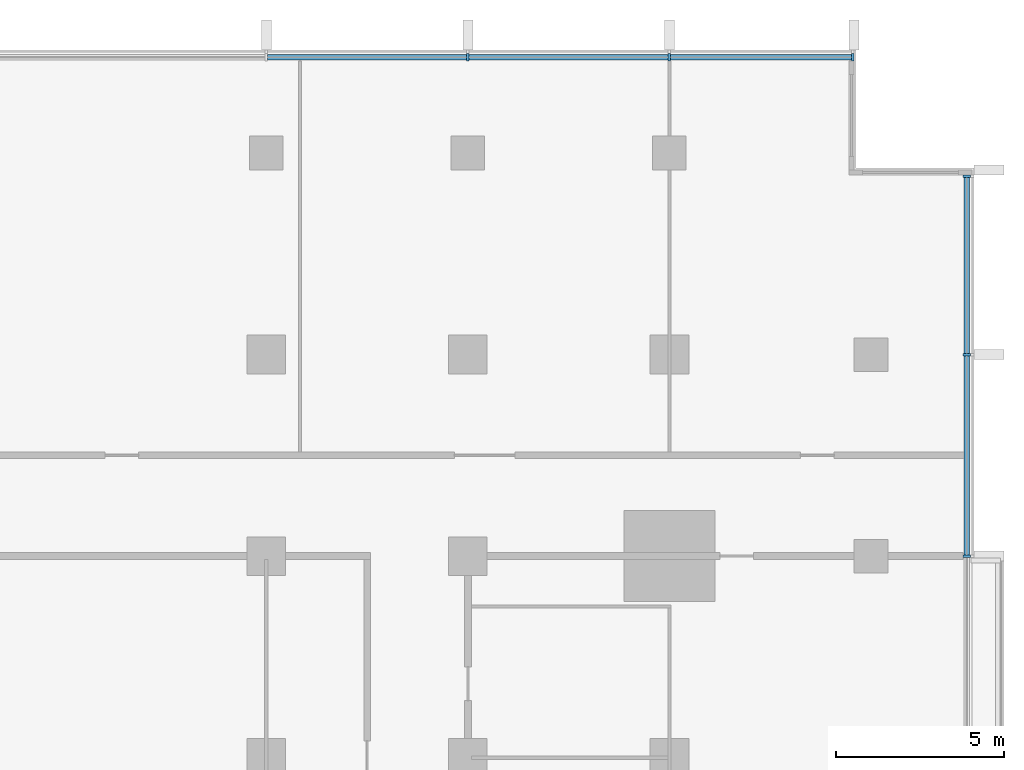
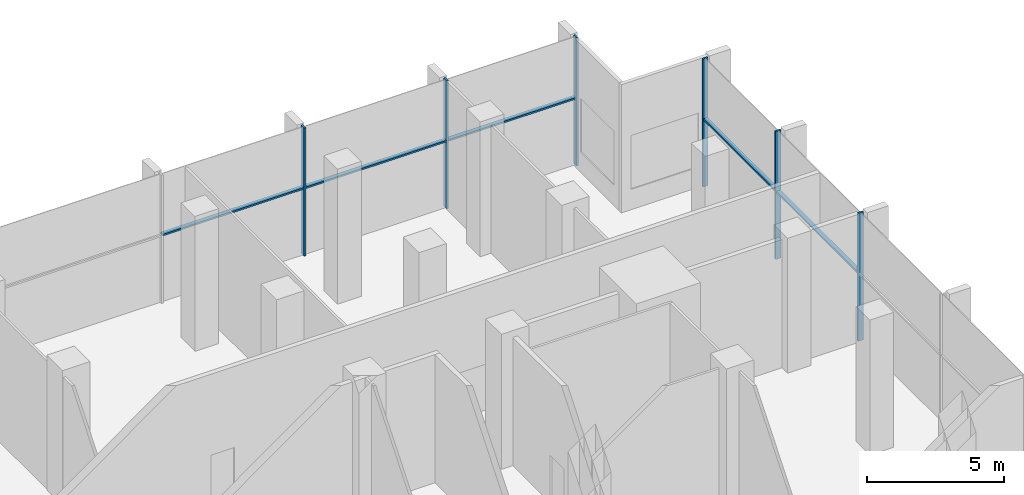
# One storey, part 5 of 16: 11 members, 2 elements without a shape of their own.
"""IFC4 building model written with IfcOpenShell, lengths in metres."""

from ifc_helpers import new_model, si_unit, direction, frame, origin, origin_2d, place, context, subcontext, project, spatial, rectangle, extrude, material, material_profile, profile_set, type_object, element, aggregate, save


model = new_model("IFC4")

# Units and contexts
model_context = context("Model", 3, precision=1e-05, world=origin(), true_north=direction((0.0, 1.0)))
body_context = subcontext(model_context, "Body", "Model", "MODEL_VIEW")
ifc_project = project(units=[si_unit("LENGTHUNIT", "METRE"), si_unit("AREAUNIT", "SQUARE_METRE"), si_unit("VOLUMEUNIT", "CUBIC_METRE"), si_unit("PLANEANGLEUNIT", "RADIAN"), si_unit("MASSUNIT", "GRAM", prefix="KILO")], contexts=[model_context])

# Site, building, storey
site_placement = place(None, origin())
site = spatial("IfcSite", under=ifc_project, at=site_placement, CompositionType="ELEMENT")
building_placement = place(site_placement, origin())
building = spatial("IfcBuilding", under=site, at=building_placement, Name="Finial Court Residences", CompositionType="ELEMENT")
storey_placement = place(building_placement, frame((0.0, 0.0, 127.89990234375)))
storey = spatial("IfcBuildingStorey", under=building, at=storey_placement, Name="L32", CompositionType="ELEMENT", Elevation=127.89990234375)

# Curtain wall, members
ifc_material = material(Name="Bronze anodised aluminium", Category="aluminium")
curtain_wall_type = type_object("IfcCurtainWallType", Name="Sky amenity glazing", PredefinedType="NOTDEFINED", material=ifc_material)
curtain_wall_1_placement = place(storey_placement, origin())
curtain_wall_1 = element("IfcCurtainWall", 1, at=curtain_wall_1_placement, inside=storey, type_object=curtain_wall_type, Name="E-L32-CW-N1", PredefinedType="NOTDEFINED")
ifc_material_profile_1 = material_profile(ifc_material, rectangle(XDim=0.22509765625, YDim=0.074951171875, at=origin_2d()), Name="CW3 mullion 75 x 225")
ifc_profile_set_1 = profile_set([ifc_material_profile_1], Name="Bronze anodised aluminium")
member_type_1 = type_object("IfcMemberType", Name="CW3 mullion 75 x 225", PredefinedType="MULLION", material=ifc_profile_set_1)
member_1_placement = place(storey_placement, frame((10.5, 22.35009765625, 0.0), z_axis=(0.0, 0.0, 1.0), x_axis=(0.0, 1.0, 0.0)))
member_1 = element("IfcMember", 2, at=member_1_placement, type_object=member_type_1, Name="CW3 mullion 6", PredefinedType="MULLION", context=body_context, shape_type="SweptSolid", body=[
    extrude(rectangle(XDim=0.22509765625, YDim=0.074951171875, at=origin_2d()), origin(), (0.0, 0.0, 1.0), 5.7001953125),
])
member_2_placement = place(storey_placement, frame((16.5, 22.35009765625, 0.0), z_axis=(0.0, 0.0, 1.0), x_axis=(0.0, 1.0, 0.0)))
member_2 = element("IfcMember", 3, at=member_2_placement, type_object=member_type_1, Name="CW3 mullion 7", PredefinedType="MULLION", context=body_context, shape_type="SweptSolid", body=[
    extrude(rectangle(XDim=0.22509765625, YDim=0.074951171875, at=origin_2d()), origin(), (0.0, 0.0, 1.0), 5.7001953125),
])
member_3_placement = place(storey_placement, frame((21.96240234375, 22.35009765625, 0.0), z_axis=(0.0, 0.0, 1.0), x_axis=(0.0, 1.0, 0.0)))
member_3 = element("IfcMember", 4, at=member_3_placement, type_object=member_type_1, Name="CW3 mullion 8", PredefinedType="MULLION", context=body_context, shape_type="SweptSolid", body=[
    extrude(rectangle(XDim=0.22509765625, YDim=0.074951171875, at=origin_2d()), origin(), (0.0, 0.0, 1.0), 5.7001953125),
])

curtain_wall_2_placement = place(storey_placement, origin())
curtain_wall_2 = element("IfcCurtainWall", 5, at=curtain_wall_2_placement, inside=storey, type_object=curtain_wall_type, Name="E-L32-CW-E2", PredefinedType="NOTDEFINED")
member_4_placement = place(storey_placement, frame((25.35009765625, 7.5, 0.0), z_axis=(0.0, 0.0, 1.0), x_axis=(-1.0, 0.0, 0.0)))
member_4 = element("IfcMember", 6, at=member_4_placement, type_object=member_type_1, Name="CW3 mullion 5", PredefinedType="MULLION", context=body_context, shape_type="SweptSolid", body=[
    extrude(rectangle(XDim=0.22509765625, YDim=0.074951171875, at=origin_2d()), origin(), (0.0, 0.0, 1.0), 5.7001953125),
])
member_5_placement = place(storey_placement, frame((25.35009765625, 13.5, 0.0), z_axis=(0.0, 0.0, 1.0), x_axis=(-1.0, 0.0, 0.0)))
member_5 = element("IfcMember", 7, at=member_5_placement, type_object=member_type_1, Name="CW3 mullion 6", PredefinedType="MULLION", context=body_context, shape_type="SweptSolid", body=[
    extrude(rectangle(XDim=0.22509765625, YDim=0.074951171875, at=origin_2d()), origin(), (0.0, 0.0, 1.0), 5.7001953125),
])
member_6_placement = place(storey_placement, frame((25.35009765625, 18.8125, 0.0), z_axis=(0.0, 0.0, 1.0), x_axis=(-1.0, 0.0, 0.0)))
member_6 = element("IfcMember", 8, at=member_6_placement, type_object=member_type_1, Name="CW3 mullion 7", PredefinedType="MULLION", context=body_context, shape_type="SweptSolid", body=[
    extrude(rectangle(XDim=0.22509765625, YDim=0.074951171875, at=origin_2d()), origin(), (0.0, 0.0, 1.0), 5.7001953125),
])

# Member
ifc_material_profile_2 = material_profile(ifc_material, rectangle(XDim=0.175048828125, YDim=0.074951171875, at=origin_2d()), Name="CW3 transom 75 x 175")
ifc_profile_set_2 = profile_set([ifc_material_profile_2], Name="Bronze anodised aluminium")
member_type_2 = type_object("IfcMemberType", Name="CW3 transom 75 x 175", PredefinedType="USERDEFINED", material=ifc_profile_set_2)
member_7_placement = place(storey_placement, frame((4.53759765625, 22.35009765625, 3.0), z_axis=(1.0, 0.0, 0.0), x_axis=(0.0, 1.0, 0.0)))
member_7 = element("IfcMember", 9, at=member_7_placement, type_object=member_type_2, Name="CW3 transom 5.1", ObjectType="TRANSOM", PredefinedType="USERDEFINED", context=body_context, shape_type="SweptSolid", body=[
    extrude(rectangle(XDim=0.175048828125, YDim=0.074951171875, at=origin_2d()), origin(), (0.0, 0.0, 1.0), 5.9248046875),
])

member_8_placement = place(storey_placement, frame((10.53759765625, 22.35009765625, 3.0), z_axis=(1.0, 0.0, 0.0), x_axis=(0.0, 1.0, 0.0)))
member_8 = element("IfcMember", 10, at=member_8_placement, type_object=member_type_2, Name="CW3 transom 6.1", ObjectType="TRANSOM", PredefinedType="USERDEFINED", context=body_context, shape_type="SweptSolid", body=[
    extrude(rectangle(XDim=0.175048828125, YDim=0.074951171875, at=origin_2d()), origin(), (0.0, 0.0, 1.0), 5.9248046875),
])

member_9_placement = place(storey_placement, frame((16.53759765625, 22.35009765625, 3.0), z_axis=(1.0, 0.0, 0.0), x_axis=(0.0, 1.0, 0.0)))
member_9 = element("IfcMember", 11, at=member_9_placement, type_object=member_type_2, Name="CW3 transom 7.1", ObjectType="TRANSOM", PredefinedType="USERDEFINED", context=body_context, shape_type="SweptSolid", body=[
    extrude(rectangle(XDim=0.175048828125, YDim=0.074951171875, at=origin_2d()), origin(), (0.0, 0.0, 1.0), 5.387451171875),
])

aggregate(curtain_wall_1, [member_1, member_2, member_3, member_7, member_8, member_9])

member_10_placement = place(storey_placement, frame((25.35009765625, 7.53759765625, 3.0), z_axis=(0.0, 1.0, 0.0), x_axis=(-1.0, 0.0, 0.0)))
member_10 = element("IfcMember", 12, at=member_10_placement, type_object=member_type_2, Name="CW3 transom 5.1", ObjectType="TRANSOM", PredefinedType="USERDEFINED", context=body_context, shape_type="SweptSolid", body=[
    extrude(rectangle(XDim=0.175048828125, YDim=0.074951171875, at=origin_2d()), origin(), (0.0, 0.0, 1.0), 5.9248046875),
])

member_11_placement = place(storey_placement, frame((25.35009765625, 13.53759765625, 3.0), z_axis=(0.0, 1.0, 0.0), x_axis=(-1.0, 0.0, 0.0)))
member_11 = element("IfcMember", 13, at=member_11_placement, type_object=member_type_2, Name="CW3 transom 6.1", ObjectType="TRANSOM", PredefinedType="USERDEFINED", context=body_context, shape_type="SweptSolid", body=[
    extrude(rectangle(XDim=0.175048828125, YDim=0.074951171875, at=origin_2d()), origin(), (0.0, 0.0, 1.0), 5.2373046875),
])

aggregate(curtain_wall_2, [member_4, member_5, member_6, member_10, member_11])

save(model, "model.ifc")
